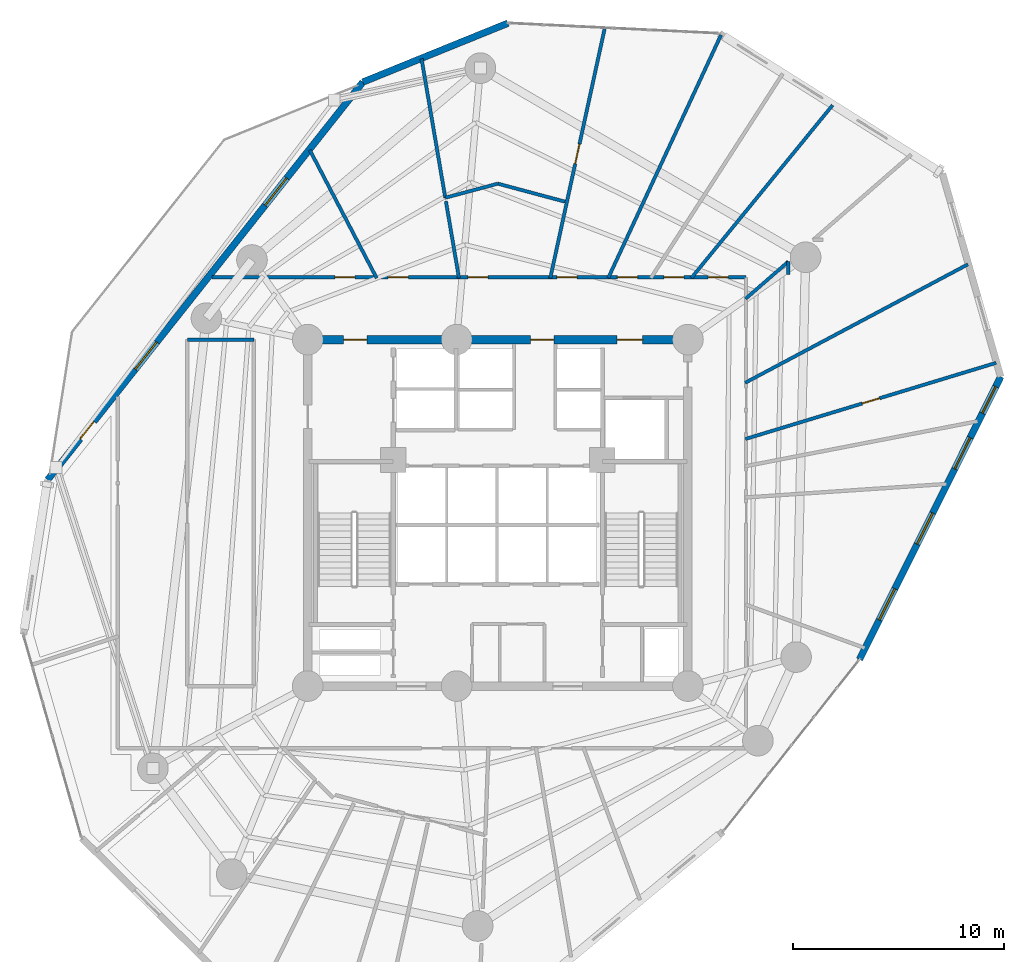
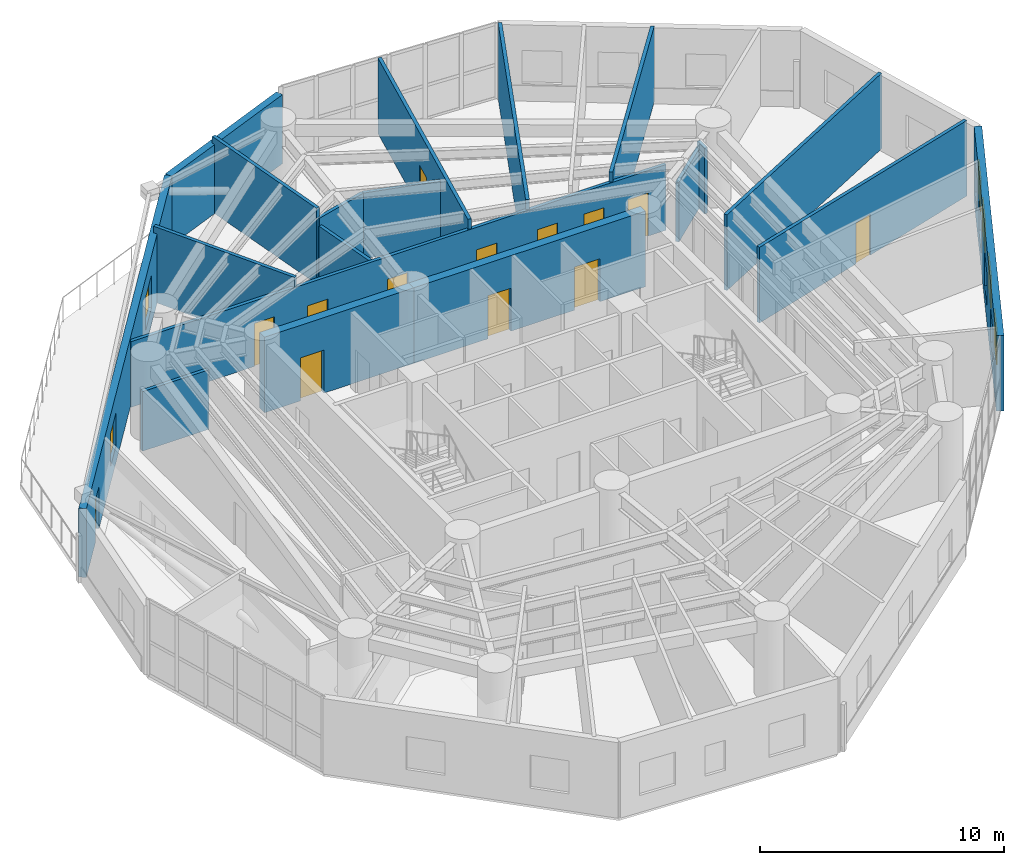
# One storey, part 10 of 14: 19 walls, 13 doors, 6 windows, 19 openings.
"""IFC4 building model written with IfcOpenShell, lengths in metres."""

from ifc_helpers import new_model, si_unit, direction, frame, frame_2d, origin, origin_with_axes, place, context, subcontext, project, spatial, rectangle, extrude, source, transform, mapped, material, layer, layer_set, type_object, element, fill, save


model = new_model("IFC4")

# Units and contexts
model_context = context("Model", 3, precision=1e-05, world=origin(), true_north=direction((0.0, 1.0)))
body_context = subcontext(model_context, "Body", "Model", "MODEL_VIEW")
ifc_project = project(units=[si_unit("LENGTHUNIT", "METRE"), si_unit("AREAUNIT", "SQUARE_METRE"), si_unit("VOLUMEUNIT", "CUBIC_METRE"), si_unit("PLANEANGLEUNIT", "RADIAN"), si_unit("MASSUNIT", "GRAM", prefix="KILO")], contexts=[model_context])

# Site, building, storey
site_placement = place(None, origin())
site = spatial("IfcSite", under=ifc_project, at=site_placement, CompositionType="ELEMENT")
building_placement = place(site_placement, origin())
building = spatial("IfcBuilding", under=site, at=building_placement, Name="Karkom Vertical University and Central Library", CompositionType="ELEMENT")
storey_placement = place(building_placement, frame((0.0, 0.0, 92.199951171875)))
storey = spatial("IfcBuildingStorey", under=building, at=storey_placement, Name="L24", CompositionType="ELEMENT", Elevation=92.199951171875)

# Wall, openings, windows
ifc_material_1 = material(Name="Brick-faced precast concrete C45/55", Category="masonry")
ifc_layer_1 = layer(ifc_material_1, 0.320068359375)
ifc_layer_set_1 = layer_set([ifc_layer_1], Name="Brick-faced precast concrete C45/55")
wall_type_1 = type_object("IfcWallType", Name="ENV-WL-BRK-320", PredefinedType="SOLIDWALL", material=ifc_layer_set_1)
wall_1_placement = place(storey_placement, frame((45.62548828125, 19.5615234375, 0.0), z_axis=(0.0, 0.0, 1.0), x_axis=(0.446652091444, 0.894707722784, 0.0)))
wall_1 = element("IfcWall", 1, at=wall_1_placement, inside=storey, type_object=wall_type_1, Name="Level 24 Brick-Faced Precast Facade Wall 07", PredefinedType="SOLIDWALL", context=body_context, shape_type="SweptSolid", body=[
    extrude(rectangle(XDim=14.95947265625, YDim=0.320068359375, at=frame_2d((7.479736328125, 0.0))), origin(), (0.0, 0.0, 1.0), 3.775146484375),
])
opening_1_placement = place(wall_1_placement, frame((2.08740234375, 0.0, 0.85009765625)))
opening_1 = element("IfcOpeningElement", 2, at=opening_1_placement, cuts=wall_1, Name="Opening WN-06", PredefinedType="OPENING", context=body_context, shape_type="SweptSolid", body=[
    extrude(rectangle(XDim=1.64990234375, YDim=1.64990234375, at=frame_2d((0.824951171875, 0.824951171875))), frame((0.0, 0.169921875, 0.0), z_axis=(0.0, -1.0, 0.0), x_axis=(1.0, 0.0, 0.0)), (0.0, 0.0, 1.0), 0.340087890625),
])
opening_2_placement = place(wall_1_placement, frame((6.09765625, 0.0, 0.85009765625)))
opening_2 = element("IfcOpeningElement", 3, at=opening_2_placement, cuts=wall_1, Name="Opening WN-06", PredefinedType="OPENING", context=body_context, shape_type="SweptSolid", body=[
    extrude(rectangle(XDim=1.64990234375, YDim=1.64990234375, at=frame_2d((0.824951171875, 0.824951171875))), frame((0.0, 0.169921875, 0.0), z_axis=(0.0, -1.0, 0.0), x_axis=(1.0, 0.0, 0.0)), (0.0, 0.0, 1.0), 0.340087890625),
])
opening_3_placement = place(wall_1_placement, frame((10.078857421875, 0.0, 0.85009765625)))
opening_3 = element("IfcOpeningElement", 4, at=opening_3_placement, cuts=wall_1, Name="Opening WN-06", PredefinedType="OPENING", context=body_context, shape_type="SweptSolid", body=[
    extrude(rectangle(XDim=1.64990234375, YDim=1.64990234375, at=frame_2d((0.824951171875, 0.824951171875))), frame((0.0, 0.169921875, 0.0), z_axis=(0.0, -1.0, 0.0), x_axis=(1.0, 0.0, 0.0)), (0.0, 0.0, 1.0), 0.340087890625),
])
opening_4_placement = place(wall_1_placement, frame((13.029541015625, 0.0, 0.85009765625)))
opening_4 = element("IfcOpeningElement", 5, at=opening_4_placement, cuts=wall_1, Name="Opening WN-07", PredefinedType="OPENING", context=body_context, shape_type="SweptSolid", body=[
    extrude(rectangle(XDim=1.39990234375, YDim=1.64990234375, at=frame_2d((0.699951171875, 0.824951171875))), frame((0.0, 0.169921875, 0.0), z_axis=(0.0, -1.0, 0.0), x_axis=(1.0, 0.0, 0.0)), (0.0, 0.0, 1.0), 0.340087890625),
])
ifc_material_2 = material(Name="Aluminium thermal-break frame with solar-control IGU", Category="aluminium")
window_type_1 = type_object("IfcWindowType", Name="ENV-WIN-WN-06", PartitioningType="SINGLE_PANEL", PredefinedType="WINDOW", material=ifc_material_2)
shared_shape_1 = source(origin_with_axes(), body_context, "Body", "SweptSolid", [
    extrude(rectangle(XDim=1.64990234375, YDim=1.64990234375, at=frame_2d((0.824951171875, 0.824951171875))), frame((0.0, 0.030029296875, 0.0), z_axis=(0.0, -1.0, 0.0), x_axis=(1.0, 0.0, 0.0)), (0.0, 0.0, 1.0), 0.06005859375),
])
window_1_placement = place(opening_1_placement, origin())
window_1 = element("IfcWindow", 6, at=window_1_placement, inside=storey, type_object=window_type_1, Name="Level 24 Punched Window 7.1", OverallHeight=1.64990234375, OverallWidth=1.64990234375, PartitioningType="SINGLE_PANEL", PredefinedType="WINDOW", context=body_context, shape_type="MappedRepresentation", body=[
    mapped(shared_shape_1, transform((0.0, 0.0, 0.0), scale=1.0)),
])
fill(opening_1, window_1)
window_2_placement = place(opening_2_placement, origin())
window_2 = element("IfcWindow", 7, at=window_2_placement, inside=storey, type_object=window_type_1, Name="Level 24 Punched Window 7.2", OverallHeight=1.64990234375, OverallWidth=1.64990234375, PartitioningType="SINGLE_PANEL", PredefinedType="WINDOW", context=body_context, shape_type="MappedRepresentation", body=[
    mapped(shared_shape_1, transform((0.0, 0.0, 0.0), scale=1.0)),
])
fill(opening_2, window_2)
window_3_placement = place(opening_3_placement, origin())
window_3 = element("IfcWindow", 8, at=window_3_placement, inside=storey, type_object=window_type_1, Name="Level 24 Punched Window 7.3", OverallHeight=1.64990234375, OverallWidth=1.64990234375, PartitioningType="SINGLE_PANEL", PredefinedType="WINDOW", context=body_context, shape_type="MappedRepresentation", body=[
    mapped(shared_shape_1, transform((0.0, 0.0, 0.0), scale=1.0)),
])
fill(opening_3, window_3)
window_type_2 = type_object("IfcWindowType", Name="ENV-WIN-WN-07", PartitioningType="SINGLE_PANEL", PredefinedType="WINDOW", material=ifc_material_2)
shared_shape_2 = source(origin_with_axes(), body_context, "Body", "SweptSolid", [
    extrude(rectangle(XDim=1.39990234375, YDim=1.64990234375, at=frame_2d((0.699951171875, 0.824951171875))), frame((0.0, 0.030029296875, 0.0), z_axis=(0.0, -1.0, 0.0), x_axis=(1.0, 0.0, 0.0)), (0.0, 0.0, 1.0), 0.06005859375),
])
window_4_placement = place(opening_4_placement, origin())
window_4 = element("IfcWindow", 9, at=window_4_placement, inside=storey, type_object=window_type_2, Name="Level 24 Punched Window 7.4", OverallHeight=1.64990234375, OverallWidth=1.39990234375, PartitioningType="SINGLE_PANEL", PredefinedType="WINDOW", context=body_context, shape_type="MappedRepresentation", body=[
    mapped(shared_shape_2, transform((0.0, 0.0, 0.0), scale=1.0)),
])
fill(opening_4, window_4)

# Wall
wall_2_placement = place(storey_placement, frame((28.9775390625, 49.682373046875, 0.0), z_axis=(0.0, 0.0, 1.0), x_axis=(-0.926505342359, -0.376281610739, 0.0)))
element("IfcWall", 10, at=wall_2_placement, inside=storey, type_object=wall_type_1, Name="Level 24 Brick-Faced Precast Facade Wall 11", PredefinedType="SOLIDWALL", context=body_context, shape_type="SweptSolid", body=[
    extrude(rectangle(XDim=7.410888671875, YDim=0.320068359375, at=frame_2d((3.70556640625, 0.0))), origin(), (0.0, 0.0, 1.0), 3.445068359375),
])

# Wall, openings, door, windows
wall_3_placement = place(storey_placement, frame((22.111328125, 46.893798828125, 0.0), z_axis=(0.0, 0.0, 1.0), x_axis=(-0.621146049856, -0.783694828839, 0.0)))
wall_3 = element("IfcWall", 11, at=wall_3_placement, inside=storey, type_object=wall_type_1, Name="Level 24 Brick-Faced Precast Facade Wall 12", PredefinedType="SOLIDWALL", context=body_context, shape_type="SweptSolid", body=[
    extrude(rectangle(XDim=24.0283203125, YDim=0.320068359375, at=frame_2d((12.01416015625, 0.0))), origin(), (0.0, 0.0, 1.0), 3.445068359375),
])
opening_5_placement = place(wall_3_placement, frame((5.80078125, 0.0, 0.85009765625)))
opening_5 = element("IfcOpeningElement", 12, at=opening_5_placement, cuts=wall_3, Name="Opening WN-06", PredefinedType="OPENING", context=body_context, shape_type="SweptSolid", body=[
    extrude(rectangle(XDim=1.64990234375, YDim=1.64990234375, at=frame_2d((0.824951171875, 0.824951171875))), frame((0.0, 0.169921875, 0.0), z_axis=(0.0, -1.0, 0.0), x_axis=(1.0, 0.0, 0.0)), (0.0, 0.0, 1.0), 0.340087890625),
])
opening_6_placement = place(wall_3_placement, frame((15.706298828125, 0.0, 0.85009765625)))
opening_6 = element("IfcOpeningElement", 13, at=opening_6_placement, cuts=wall_3, Name="Opening WN-06", PredefinedType="OPENING", context=body_context, shape_type="SweptSolid", body=[
    extrude(rectangle(XDim=1.64990234375, YDim=1.64990234375, at=frame_2d((0.824951171875, 0.824951171875))), frame((0.0, 0.169921875, 0.0), z_axis=(0.0, -1.0, 0.0), x_axis=(1.0, 0.0, 0.0)), (0.0, 0.0, 1.0), 0.340087890625),
])
opening_7_placement = place(wall_3_placement, frame((20.499755859375, 0.0, 0.0)))
opening_7 = element("IfcOpeningElement", 14, at=opening_7_placement, cuts=wall_3, Name="Opening TD-1", PredefinedType="OPENING", context=body_context, shape_type="SweptSolid", body=[
    extrude(rectangle(XDim=1.050048828125, YDim=2.1201171875, at=frame_2d((0.52490234375, 1.06005859375))), frame((0.0, 0.169921875, 0.0), z_axis=(0.0, -1.0, 0.0), x_axis=(1.0, 0.0, 0.0)), (0.0, 0.0, 1.0), 0.340087890625),
])
ifc_material_3 = material(Name="Thermally broken glazed aluminium terrace door", Category="aluminium")
door_type_1 = type_object("IfcDoorType", Name="ENV-DR-TERR", OperationType="NOTDEFINED", PredefinedType="DOOR", material=ifc_material_3)
shared_shape_3 = source(origin_with_axes(), body_context, "Body", "SweptSolid", [
    extrude(rectangle(XDim=1.050048828125, YDim=2.1201171875, at=frame_2d((0.52490234375, 1.06005859375))), frame((0.0, 0.02490234375, 0.0), z_axis=(0.0, -1.0, 0.0), x_axis=(1.0, 0.0, 0.0)), (0.0, 0.0, 1.0), 0.050048828125),
])
door_1_placement = place(opening_7_placement, origin())
door_1 = element("IfcDoor", 15, at=door_1_placement, inside=storey, type_object=door_type_1, Name="Level 24 Outdoor Terrace Access Door", OperationType="SINGLE_SWING_RIGHT", OverallHeight=2.1201171875, OverallWidth=1.050048828125, PredefinedType="DOOR", context=body_context, shape_type="MappedRepresentation", body=[
    mapped(shared_shape_3, transform((0.0, 0.0, 0.0), scale=1.0)),
])
fill(opening_7, door_1)
window_5_placement = place(opening_5_placement, origin())
window_5 = element("IfcWindow", 16, at=window_5_placement, inside=storey, type_object=window_type_1, Name="Level 24 Punched Window 12.1", OverallHeight=1.64990234375, OverallWidth=1.64990234375, PartitioningType="SINGLE_PANEL", PredefinedType="WINDOW", context=body_context, shape_type="MappedRepresentation", body=[
    mapped(shared_shape_1, transform((0.0, 0.0, 0.0), scale=1.0)),
])
fill(opening_5, window_5)
window_6_placement = place(opening_6_placement, origin())
window_6 = element("IfcWindow", 17, at=window_6_placement, inside=storey, type_object=window_type_1, Name="Level 24 Punched Window 12.2", OverallHeight=1.64990234375, OverallWidth=1.64990234375, PartitioningType="SINGLE_PANEL", PredefinedType="WINDOW", context=body_context, shape_type="MappedRepresentation", body=[
    mapped(shared_shape_1, transform((0.0, 0.0, 0.0), scale=1.0)),
])
fill(opening_6, window_6)

# Wall, openings, doors
ifc_material_4 = material(Name="Insulated metal-stud drywall 160mm", Category="gypsum")
ifc_layer_2 = layer(ifc_material_4, 0.159912109375)
ifc_layer_set_2 = layer_set([ifc_layer_2], Name="Insulated metal-stud drywall 160mm")
wall_type_2 = type_object("IfcWallType", Name="INT-WL-COR-160", PredefinedType="PARTITIONING", material=ifc_layer_set_2)
wall_4_placement = place(storey_placement, frame((14.973876953125, 37.64990234375, 0.0), z_axis=(0.0, 0.0, 1.0), x_axis=(1.0, 0.0, 0.0)))
wall_4 = element("IfcWall", 18, at=wall_4_placement, inside=storey, type_object=wall_type_2, Name="Level 24 Interior Partition Wall L24-CORW-CW-003", PredefinedType="PARTITIONING", context=body_context, shape_type="SweptSolid", body=[
    extrude(rectangle(XDim=25.276123046875, YDim=0.159912109375, at=frame_2d((12.63818359375, 0.0))), origin(), (0.0, 0.0, 1.0), 3.275146484375),
])
opening_8_placement = place(wall_4_placement, frame((23.47607421875, 0.0, 0.0)))
opening_8 = element("IfcOpeningElement", 19, at=opening_8_placement, cuts=wall_4, Name="Opening FD-RM2", PredefinedType="OPENING", context=body_context, shape_type="SweptSolid", body=[
    extrude(rectangle(XDim=0.9599609375, YDim=2.14990234375, at=frame_2d((0.47998046875, 1.074951171875))), frame((0.0, 0.08984375, 0.0), z_axis=(0.0, -1.0, 0.0), x_axis=(1.0, 0.0, 0.0)), (0.0, 0.0, 1.0), 0.179931640625),
])
opening_9_placement = place(wall_4_placement, frame((21.3828125, 0.0, 0.0)))
opening_9 = element("IfcOpeningElement", 20, at=opening_9_placement, cuts=wall_4, Name="Opening D-RM1", PredefinedType="OPENING", context=body_context, shape_type="SweptSolid", body=[
    extrude(rectangle(XDim=0.949951171875, YDim=2.14990234375, at=frame_2d((0.47509765625, 1.074951171875))), frame((0.0, 0.08984375, 0.0), z_axis=(0.0, -1.0, 0.0), x_axis=(1.0, 0.0, 0.0)), (0.0, 0.0, 1.0), 0.179931640625),
])
opening_10_placement = place(wall_4_placement, frame((19.18408203125, 0.0, 0.0)))
opening_10 = element("IfcOpeningElement", 21, at=opening_10_placement, cuts=wall_4, Name="Opening FD-RM2", PredefinedType="OPENING", context=body_context, shape_type="SweptSolid", body=[
    extrude(rectangle(XDim=0.9599609375, YDim=2.14990234375, at=frame_2d((0.47998046875, 1.074951171875))), frame((0.0, 0.08984375, 0.0), z_axis=(0.0, -1.0, 0.0), x_axis=(1.0, 0.0, 0.0)), (0.0, 0.0, 1.0), 0.179931640625),
])
opening_11_placement = place(wall_4_placement, frame((16.318359375, 0.0, 0.0)))
opening_11 = element("IfcOpeningElement", 22, at=opening_11_placement, cuts=wall_4, Name="Opening FD-RM2", PredefinedType="OPENING", context=body_context, shape_type="SweptSolid", body=[
    extrude(rectangle(XDim=0.9599609375, YDim=2.14990234375, at=frame_2d((0.47998046875, 1.074951171875))), frame((0.0, 0.08984375, 0.0), z_axis=(0.0, -1.0, 0.0), x_axis=(1.0, 0.0, 0.0)), (0.0, 0.0, 1.0), 0.179931640625),
])
opening_12_placement = place(wall_4_placement, frame((12.1044921875, 0.0, 0.0)))
opening_12 = element("IfcOpeningElement", 23, at=opening_12_placement, cuts=wall_4, Name="Opening FD-RM2", PredefinedType="OPENING", context=body_context, shape_type="SweptSolid", body=[
    extrude(rectangle(XDim=0.9599609375, YDim=2.14990234375, at=frame_2d((0.47998046875, 1.074951171875))), frame((0.0, 0.08984375, 0.0), z_axis=(0.0, -1.0, 0.0), x_axis=(1.0, 0.0, 0.0)), (0.0, 0.0, 1.0), 0.179931640625),
])
opening_13_placement = place(wall_4_placement, frame((8.33056640625, 0.0, 0.0)))
opening_13 = element("IfcOpeningElement", 24, at=opening_13_placement, cuts=wall_4, Name="Opening FD-RM2", PredefinedType="OPENING", context=body_context, shape_type="SweptSolid", body=[
    extrude(rectangle(XDim=0.9599609375, YDim=2.14990234375, at=frame_2d((0.47998046875, 1.074951171875))), frame((0.0, 0.08984375, 0.0), z_axis=(0.0, -1.0, 0.0), x_axis=(1.0, 0.0, 0.0)), (0.0, 0.0, 1.0), 0.179931640625),
])
opening_14_placement = place(wall_4_placement, frame((5.814697265625, 0.0, 0.0)))
opening_14 = element("IfcOpeningElement", 25, at=opening_14_placement, cuts=wall_4, Name="Opening D-RM1", PredefinedType="OPENING", context=body_context, shape_type="SweptSolid", body=[
    extrude(rectangle(XDim=0.949951171875, YDim=2.14990234375, at=frame_2d((0.47509765625, 1.074951171875))), frame((0.0, 0.08984375, 0.0), z_axis=(0.0, -1.0, 0.0), x_axis=(1.0, 0.0, 0.0)), (0.0, 0.0, 1.0), 0.179931640625),
])
ifc_material_5 = material(Name="Fire-rated oak veneer door", Category="wood")
door_type_2 = type_object("IfcDoorType", Name="INT-DR-FRM2", OperationType="NOTDEFINED", PredefinedType="DOOR", material=ifc_material_5)
shared_shape_4 = source(origin_with_axes(), body_context, "Body", "SweptSolid", [
    extrude(rectangle(XDim=0.9599609375, YDim=2.14990234375, at=frame_2d((0.47998046875, 1.074951171875))), frame((0.0, 0.02490234375, 0.0), z_axis=(0.0, -1.0, 0.0), x_axis=(1.0, 0.0, 0.0)), (0.0, 0.0, 1.0), 0.050048828125),
])
door_2_placement = place(opening_8_placement, origin())
door_2 = element("IfcDoor", 26, at=door_2_placement, inside=storey, type_object=door_type_2, Name="Level 24 Room Entry Door 170", OperationType="SINGLE_SWING_RIGHT", OverallHeight=2.14990234375, OverallWidth=0.9599609375, PredefinedType="DOOR", context=body_context, shape_type="MappedRepresentation", body=[
    mapped(shared_shape_4, transform((0.0, 0.0, 0.0), scale=1.0)),
])
fill(opening_8, door_2)
door_3_placement = place(opening_10_placement, origin())
door_3 = element("IfcDoor", 27, at=door_3_placement, inside=storey, type_object=door_type_2, Name="Level 24 Room Entry Door 190", OperationType="SINGLE_SWING_RIGHT", OverallHeight=2.14990234375, OverallWidth=0.9599609375, PredefinedType="DOOR", context=body_context, shape_type="MappedRepresentation", body=[
    mapped(shared_shape_4, transform((0.0, 0.0, 0.0), scale=1.0)),
])
fill(opening_10, door_3)
door_4_placement = place(opening_11_placement, origin())
door_4 = element("IfcDoor", 28, at=door_4_placement, inside=storey, type_object=door_type_2, Name="Level 24 Room Entry Door 200", OperationType="SINGLE_SWING_LEFT", OverallHeight=2.14990234375, OverallWidth=0.9599609375, PredefinedType="DOOR", context=body_context, shape_type="MappedRepresentation", body=[
    mapped(shared_shape_4, transform((0.0, 0.0, 0.0), scale=1.0)),
])
fill(opening_11, door_4)
door_5_placement = place(opening_12_placement, origin())
door_5 = element("IfcDoor", 29, at=door_5_placement, inside=storey, type_object=door_type_2, Name="Level 24 Room Entry Door 220", OperationType="SINGLE_SWING_RIGHT", OverallHeight=2.14990234375, OverallWidth=0.9599609375, PredefinedType="DOOR", context=body_context, shape_type="MappedRepresentation", body=[
    mapped(shared_shape_4, transform((0.0, 0.0, 0.0), scale=1.0)),
])
fill(opening_12, door_5)
door_6_placement = place(opening_13_placement, origin())
door_6 = element("IfcDoor", 30, at=door_6_placement, inside=storey, type_object=door_type_2, Name="Level 24 Room Entry Door 230", OperationType="SINGLE_SWING_LEFT", OverallHeight=2.14990234375, OverallWidth=0.9599609375, PredefinedType="DOOR", context=body_context, shape_type="MappedRepresentation", body=[
    mapped(shared_shape_4, transform((0.0, 0.0, 0.0), scale=1.0)),
])
fill(opening_13, door_6)
ifc_material_6 = material(Name="Solid-core oak veneer door", Category="wood")
door_type_3 = type_object("IfcDoorType", Name="INT-DR-RM1", OperationType="NOTDEFINED", PredefinedType="DOOR", material=ifc_material_6)
shared_shape_5 = source(origin_with_axes(), body_context, "Body", "SweptSolid", [
    extrude(rectangle(XDim=0.949951171875, YDim=2.14990234375, at=frame_2d((0.47509765625, 1.074951171875))), frame((0.0, 0.02490234375, 0.0), z_axis=(0.0, -1.0, 0.0), x_axis=(1.0, 0.0, 0.0)), (0.0, 0.0, 1.0), 0.050048828125),
])
door_7_placement = place(opening_9_placement, origin())
door_7 = element("IfcDoor", 31, at=door_7_placement, inside=storey, type_object=door_type_3, Name="Level 24 Room Entry Door 180", OperationType="SINGLE_SWING_LEFT", OverallHeight=2.14990234375, OverallWidth=0.949951171875, PredefinedType="DOOR", context=body_context, shape_type="MappedRepresentation", body=[
    mapped(shared_shape_5, transform((0.0, 0.0, 0.0), scale=1.0)),
])
fill(opening_9, door_7)
door_8_placement = place(opening_14_placement, origin())
door_8 = element("IfcDoor", 32, at=door_8_placement, inside=storey, type_object=door_type_3, Name="Level 24 Room Entry Door 240", OperationType="SINGLE_SWING_RIGHT", OverallHeight=2.14990234375, OverallWidth=0.949951171875, PredefinedType="DOOR", context=body_context, shape_type="MappedRepresentation", body=[
    mapped(shared_shape_5, transform((0.0, 0.0, 0.0), scale=1.0)),
])
fill(opening_14, door_8)

# Wall
wall_5_placement = place(storey_placement, frame((33.728759765625, 37.622802734375, 0.0), z_axis=(0.0, 0.0, 1.0), x_axis=(0.421024135542, 0.907049434866, 0.0)))
element("IfcWall", 33, at=wall_5_placement, inside=storey, type_object=wall_type_2, Name="Level 24 Interior Partition Wall L24-PW-029", PredefinedType="PARTITIONING", context=body_context, shape_type="SweptSolid", body=[
    extrude(rectangle(XDim=12.672607421875, YDim=0.159912109375, at=frame_2d((6.33642578125, 0.0))), origin(), (0.0, 0.0, 1.0), 3.775146484375),
])

# Wall, opening, door
wall_6_placement = place(storey_placement, frame((40.22119140625, 29.996826171875, 0.0), z_axis=(0.0, 0.0, 1.0), x_axis=(0.956846483857, 0.29059388557, 0.0)))
wall_6 = element("IfcWall", 34, at=wall_6_placement, inside=storey, type_object=wall_type_2, Name="Level 24 Interior Partition Wall L24-PW-021", PredefinedType="PARTITIONING", context=body_context, shape_type="SweptSolid", body=[
    extrude(rectangle(XDim=12.4072265625, YDim=0.159912109375, at=frame_2d((6.20361328125, 0.0))), origin(), (0.0, 0.0, 1.0), 3.775146484375),
])
opening_15_placement = place(wall_6_placement, frame((5.773681640625, 0.0, 0.0)))
opening_15 = element("IfcOpeningElement", 35, at=opening_15_placement, cuts=wall_6, Name="Opening FD-BTH2", PredefinedType="OPENING", context=body_context, shape_type="SweptSolid", body=[
    extrude(rectangle(XDim=0.860107421875, YDim=2.0400390625, at=frame_2d((0.43017578125, 1.02001953125))), frame((0.0, 0.08984375, 0.0), z_axis=(0.0, -1.0, 0.0), x_axis=(1.0, 0.0, 0.0)), (0.0, 0.0, 1.0), 0.179931640625),
])
ifc_material_7 = material(Name="Fire-rated moisture-resistant oak door", Category="wood")
door_type_4 = type_object("IfcDoorType", Name="INT-DR-FBTH2", OperationType="NOTDEFINED", PredefinedType="DOOR", material=ifc_material_7)
shared_shape_6 = source(origin_with_axes(), body_context, "Body", "SweptSolid", [
    extrude(rectangle(XDim=0.860107421875, YDim=2.0400390625, at=frame_2d((0.43017578125, 1.02001953125))), frame((0.0, 0.02490234375, 0.0), z_axis=(0.0, -1.0, 0.0), x_axis=(1.0, 0.0, 0.0)), (0.0, 0.0, 1.0), 0.050048828125),
])
door_9_placement = place(opening_15_placement, origin())
door_9 = element("IfcDoor", 36, at=door_9_placement, inside=storey, type_object=door_type_4, Name="Level 24 University Seminar Classroom Entry Door", OperationType="SINGLE_SWING_RIGHT", OverallHeight=2.0400390625, OverallWidth=0.860107421875, PredefinedType="DOOR", context=body_context, shape_type="MappedRepresentation", body=[
    mapped(shared_shape_6, transform((0.0, 0.0, 0.0), scale=1.0)),
])
fill(opening_15, door_9)

wall_7_placement = place(storey_placement, frame((30.981689453125, 37.60595703125, 0.0), z_axis=(0.0, 0.0, 1.0), x_axis=(0.212896840781, 0.977074682501, 0.0)))
wall_7 = element("IfcWall", 37, at=wall_7_placement, inside=storey, type_object=wall_type_2, Name="Level 24 Interior Partition Wall L24-PW-030", PredefinedType="PARTITIONING", context=body_context, shape_type="SweptSolid", body=[
    extrude(rectangle(XDim=12.105224609375, YDim=0.159912109375, at=frame_2d((6.052734375, 0.0))), origin(), (0.0, 0.0, 1.0), 3.775146484375),
])
opening_16_placement = place(wall_7_placement, frame((5.552490234375, 0.0, 0.0)))
opening_16 = element("IfcOpeningElement", 38, at=opening_16_placement, cuts=wall_7, Name="Opening D-RM1", PredefinedType="OPENING", context=body_context, shape_type="SweptSolid", body=[
    extrude(rectangle(XDim=0.949951171875, YDim=2.14990234375, at=frame_2d((0.47509765625, 1.074951171875))), frame((0.0, 0.08984375, 0.0), z_axis=(0.0, -1.0, 0.0), x_axis=(1.0, 0.0, 0.0)), (0.0, 0.0, 1.0), 0.179931640625),
])
door_10_placement = place(opening_16_placement, origin())
door_10 = element("IfcDoor", 39, at=door_10_placement, inside=storey, type_object=door_type_3, Name="Level 24 Room Entry Door 210", OperationType="SINGLE_SWING_RIGHT", OverallHeight=2.14990234375, OverallWidth=0.949951171875, PredefinedType="DOOR", context=body_context, shape_type="MappedRepresentation", body=[
    mapped(shared_shape_5, transform((0.0, 0.0, 0.0), scale=1.0)),
])
fill(opening_16, door_10)

# Walls
wall_8_placement = place(storey_placement, frame((40.210205078125, 32.658447265625, 0.0), z_axis=(0.0, 0.0, 1.0), x_axis=(0.88295316145, 0.469461089639, 0.0)))
element("IfcWall", 40, at=wall_8_placement, inside=storey, type_object=wall_type_2, Name="Level 24 Interior Partition Wall L24-PW-022", PredefinedType="PARTITIONING", context=body_context, shape_type="SweptSolid", body=[
    extrude(rectangle(XDim=11.943359375, YDim=0.159912109375, at=frame_2d((5.9716796875, 0.0))), origin(), (0.0, 0.0, 1.0), 3.775146484375),
])
wall_9_placement = place(storey_placement, frame((37.669677734375, 37.626708984375, 0.0), z_axis=(0.0, 0.0, 1.0), x_axis=(0.632743862199, 0.774361159182, 0.0)))
element("IfcWall", 41, at=wall_9_placement, inside=storey, type_object=wall_type_2, Name="Level 24 Interior Partition Wall L24-PW-027", PredefinedType="PARTITIONING", context=body_context, shape_type="SweptSolid", body=[
    extrude(rectangle(XDim=10.553955078125, YDim=0.159912109375, at=frame_2d((5.27685546875, 0.0))), origin(), (0.0, 0.0, 1.0), 3.775146484375),
])
wall_10_placement = place(storey_placement, frame((22.765869140625, 37.610107421875, 0.0), z_axis=(0.0, 0.0, 1.0), x_axis=(-0.462887924106, 0.886416814888, 0.0)))
element("IfcWall", 42, at=wall_10_placement, inside=storey, type_object=wall_type_2, Name="Level 24 Interior Partition Wall L24-PW-035", PredefinedType="PARTITIONING", context=body_context, shape_type="SweptSolid", body=[
    extrude(rectangle(XDim=6.841796875, YDim=0.159912109375, at=frame_2d((3.4208984375, 0.0))), origin(), (0.0, 0.0, 1.0), 3.775146484375),
])
wall_11_placement = place(storey_placement, frame((26.012939453125, 41.41650390625, 0.0), z_axis=(0.0, 0.0, 1.0), x_axis=(-0.168355431292, 0.98572635592, 0.0)))
element("IfcWall", 43, at=wall_11_placement, inside=storey, type_object=wall_type_2, Name="Level 24 Interior Partition Wall L24-PW-033", PredefinedType="PARTITIONING", context=body_context, shape_type="SweptSolid", body=[
    extrude(rectangle(XDim=6.672119140625, YDim=0.159912109375, at=frame_2d((3.3359375, 0.0))), origin(), (0.0, 0.0, 1.0), 3.775146484375),
])
wall_12_placement = place(storey_placement, frame((26.661376953125, 37.620361328125, 0.0), z_axis=(0.0, 0.0, 1.0), x_axis=(-0.168367016112, 0.98572437724, 0.0)))
element("IfcWall", 44, at=wall_12_placement, inside=storey, type_object=wall_type_2, Name="Level 24 Interior Partition Wall L24-PW-034", PredefinedType="PARTITIONING", context=body_context, shape_type="SweptSolid", body=[
    extrude(rectangle(XDim=3.6904296875, YDim=0.159912109375, at=frame_2d((1.84521484375, 0.0))), origin(), (0.0, 0.0, 1.0), 2.97509765625),
])
wall_13_placement = place(storey_placement, frame((31.682373046875, 41.22998046875, 0.0), z_axis=(0.0, 0.0, 1.0), x_axis=(-0.96592059677, 0.258838561144, 0.0)))
element("IfcWall", 45, at=wall_13_placement, inside=storey, type_object=wall_type_2, Name="Level 24 Interior Partition Wall L24-PW-031", PredefinedType="PARTITIONING", context=body_context, shape_type="SweptSolid", body=[
    extrude(rectangle(XDim=3.294677734375, YDim=0.159912109375, at=frame_2d((1.6474609375, 0.0))), origin(), (0.0, 0.0, 1.0), 3.275146484375),
])
wall_14_placement = place(storey_placement, frame((16.949951171875, 34.699951171875, 0.0), z_axis=(0.0, 0.0, 1.0), x_axis=(-1.0, 0.0, 0.0)))
element("IfcWall", 46, at=wall_14_placement, inside=storey, type_object=wall_type_2, Name="Level 24 Interior Partition Wall L24-CORW-CW-005", PredefinedType="PARTITIONING", context=body_context, shape_type="SweptSolid", body=[
    extrude(rectangle(XDim=3.14990234375, YDim=0.159912109375, at=frame_2d((1.574951171875, 0.0))), origin(), (0.0, 0.0, 1.0), 2.97509765625),
])
wall_15_placement = place(storey_placement, frame((40.227294921875, 36.631103515625, 0.0), z_axis=(0.0, 0.0, 1.0), x_axis=(0.754215383826, 0.656627104832, 0.0)))
element("IfcWall", 47, at=wall_15_placement, inside=storey, type_object=wall_type_2, Name="Level 24 Interior Partition Wall L24-PW-023", PredefinedType="PARTITIONING", context=body_context, shape_type="SweptSolid", body=[
    extrude(rectangle(XDim=2.681884765625, YDim=0.159912109375, at=frame_2d((1.3408203125, 0.0))), origin(), (0.0, 0.0, 1.0), 2.97509765625),
])
wall_16_placement = place(storey_placement, frame((28.5, 42.082763671875, 0.0), z_axis=(0.0, 0.0, 1.0), x_axis=(-0.96594001059, -0.258766102768, 0.0)))
element("IfcWall", 48, at=wall_16_placement, inside=storey, type_object=wall_type_2, Name="Level 24 Interior Partition Wall L24-PW-032", PredefinedType="PARTITIONING", context=body_context, shape_type="SweptSolid", body=[
    extrude(rectangle(XDim=2.57470703125, YDim=0.159912109375, at=frame_2d((1.287353515625, 0.0))), origin(), (0.0, 0.0, 1.0), 3.275146484375),
])
wall_17_placement = place(storey_placement, frame((42.25, 38.39208984375, 0.0), z_axis=(0.0, 0.0, 1.0), x_axis=(0.0, -1.0, 0.0)))
element("IfcWall", 49, at=wall_17_placement, inside=storey, type_object=wall_type_2, Name="Level 24 Interior Partition Wall L24-PW-024", PredefinedType="PARTITIONING", context=body_context, shape_type="SweptSolid", body=[
    extrude(rectangle(XDim=0.612060546875, YDim=0.159912109375, at=frame_2d((0.30615234375, 0.0))), origin(), (0.0, 0.0, 1.0), 3.275146484375),
])

# Wall, openings, doors
ifc_material_8 = material(Name="Concrete C50/60", Category="concrete")
ifc_layer_3 = layer(ifc_material_8, 0.39990234375)
ifc_layer_set_3 = layer_set([ifc_layer_3], Name="Concrete C50/60")
wall_type_3 = type_object("IfcWallType", Name="STR-WL-CW-400", PredefinedType="SHEAR", material=ifc_layer_set_3)
wall_18_placement = place(storey_placement, frame((37.5, 34.699951171875, 0.0), z_axis=(0.0, 0.0, 1.0), x_axis=(-1.0, 0.0, 0.0)))
wall_18 = element("IfcWall", 50, at=wall_18_placement, inside=storey, type_object=wall_type_3, Name="Level 24 Central Core Shear Wall NW1", PredefinedType="SHEAR", context=body_context, shape_type="SweptSolid", body=[
    extrude(rectangle(XDim=10.949951171875, YDim=0.39990234375, at=frame_2d((5.47509765625, 0.0))), origin(), (0.0, 0.0, 1.0), 3.775146484375),
])
opening_17_placement = place(wall_18_placement, frame((2.14990234375, 0.0, 0.0)))
opening_17 = element("IfcOpeningElement", 51, at=opening_17_placement, cuts=wall_18, Name="Opening FD-SUB1", PredefinedType="OPENING", context=body_context, shape_type="SweptSolid", body=[
    extrude(rectangle(XDim=1.199951171875, YDim=2.14990234375, at=frame_2d((0.60009765625, 1.074951171875))), frame((0.0, 0.2099609375, 0.0), z_axis=(0.0, -1.0, 0.0), x_axis=(1.0, 0.0, 0.0)), (0.0, 0.0, 1.0), 0.419921875),
])
opening_18_placement = place(wall_18_placement, frame((6.35009765625, 0.0, 0.0)))
opening_18 = element("IfcOpeningElement", 52, at=opening_18_placement, cuts=wall_18, Name="Opening FD-FFL", PredefinedType="OPENING", context=body_context, shape_type="SweptSolid", body=[
    extrude(rectangle(XDim=1.10009765625, YDim=2.14990234375, at=frame_2d((0.550048828125, 1.074951171875))), frame((0.0, 0.2099609375, 0.0), z_axis=(0.0, -1.0, 0.0), x_axis=(1.0, 0.0, 0.0)), (0.0, 0.0, 1.0), 0.419921875),
])
ifc_material_9 = material(Name="Painted steel smoke-seal fire door", Category="steel")
door_type_5 = type_object("IfcDoorType", Name="INT-DR-FFL", OperationType="NOTDEFINED", PredefinedType="DOOR", material=ifc_material_9)
shared_shape_7 = source(origin_with_axes(), body_context, "Body", "SweptSolid", [
    extrude(rectangle(XDim=1.10009765625, YDim=2.14990234375, at=frame_2d((0.550048828125, 1.074951171875))), frame((0.0, 0.02490234375, 0.0), z_axis=(0.0, -1.0, 0.0), x_axis=(1.0, 0.0, 0.0)), (0.0, 0.0, 1.0), 0.050048828125),
])
door_11_placement = place(opening_18_placement, origin())
door_11 = element("IfcDoor", 53, at=door_11_placement, inside=storey, type_object=door_type_5, Name="Level 24 North Core Lobby Exit Door", OperationType="SINGLE_SWING_RIGHT", OverallHeight=2.14990234375, OverallWidth=1.10009765625, PredefinedType="DOOR", context=body_context, shape_type="MappedRepresentation", body=[
    mapped(shared_shape_7, transform((0.0, 0.0, 0.0), scale=1.0)),
])
fill(opening_18, door_11)
ifc_material_10 = material(Name="Painted steel fire door", Category="steel")
door_type_6 = type_object("IfcDoorType", Name="INT-DR-SUB1", OperationType="NOTDEFINED", PredefinedType="DOOR", material=ifc_material_10)
shared_shape_8 = source(origin_with_axes(), body_context, "Body", "SweptSolid", [
    extrude(rectangle(XDim=1.199951171875, YDim=2.14990234375, at=frame_2d((0.60009765625, 1.074951171875))), frame((0.0, 0.02490234375, 0.0), z_axis=(0.0, -1.0, 0.0), x_axis=(1.0, 0.0, 0.0)), (0.0, 0.0, 1.0), 0.050048828125),
])
door_12_placement = place(opening_17_placement, origin())
door_12 = element("IfcDoor", 54, at=door_12_placement, inside=storey, type_object=door_type_6, Name="Level 24 Service Lobby Fire Door", OperationType="SINGLE_SWING_RIGHT", OverallHeight=2.14990234375, OverallWidth=1.199951171875, PredefinedType="DOOR", context=body_context, shape_type="MappedRepresentation", body=[
    mapped(shared_shape_8, transform((0.0, 0.0, 0.0), scale=1.0)),
])
fill(opening_17, door_12)

# Wall, opening, door
wall_19_placement = place(storey_placement, frame((26.550048828125, 34.699951171875, 0.0), z_axis=(0.0, 0.0, 1.0), x_axis=(-1.0, 0.0, 0.0)))
wall_19 = element("IfcWall", 55, at=wall_19_placement, inside=storey, type_object=wall_type_3, Name="Level 24 Central Core Shear Wall NW2", PredefinedType="SHEAR", context=body_context, shape_type="SweptSolid", body=[
    extrude(rectangle(XDim=7.050048828125, YDim=0.39990234375, at=frame_2d((3.52490234375, 0.0))), origin(), (0.0, 0.0, 1.0), 3.775146484375),
])
opening_19_placement = place(wall_19_placement, frame((4.25, 0.0, 0.0)))
opening_19 = element("IfcOpeningElement", 56, at=opening_19_placement, cuts=wall_19, Name="Opening FD-FFL", PredefinedType="OPENING", context=body_context, shape_type="SweptSolid", body=[
    extrude(rectangle(XDim=1.10009765625, YDim=2.14990234375, at=frame_2d((0.550048828125, 1.074951171875))), frame((0.0, 0.2099609375, 0.0), z_axis=(0.0, -1.0, 0.0), x_axis=(1.0, 0.0, 0.0)), (0.0, 0.0, 1.0), 0.419921875),
])
door_13_placement = place(opening_19_placement, origin())
door_13 = element("IfcDoor", 57, at=door_13_placement, inside=storey, type_object=door_type_5, Name="Level 24 Firefighting Lobby Door", OperationType="SINGLE_SWING_LEFT", OverallHeight=2.14990234375, OverallWidth=1.10009765625, PredefinedType="DOOR", context=body_context, shape_type="MappedRepresentation", body=[
    mapped(shared_shape_7, transform((0.0, 0.0, 0.0), scale=1.0)),
])
fill(opening_19, door_13)

save(model, "model.ifc")
